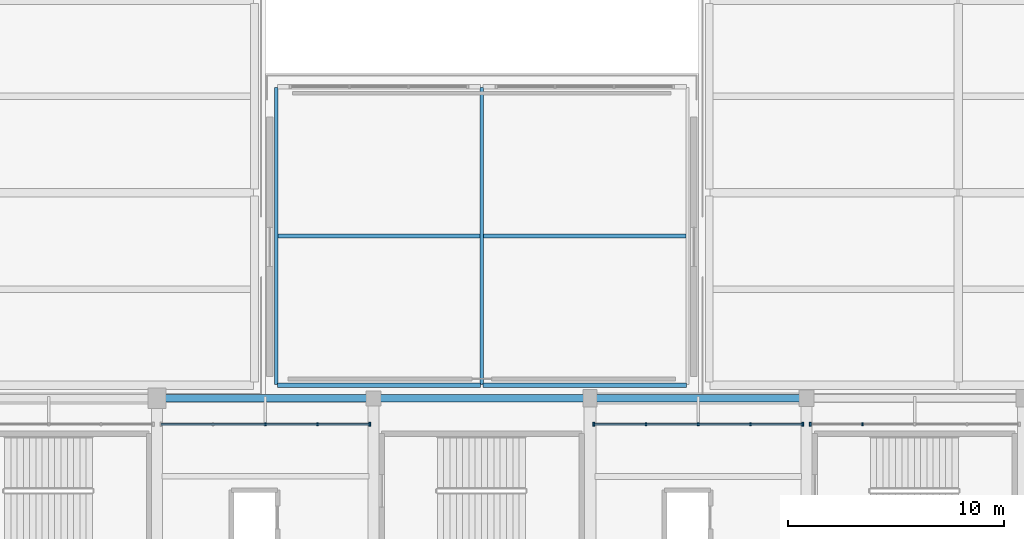
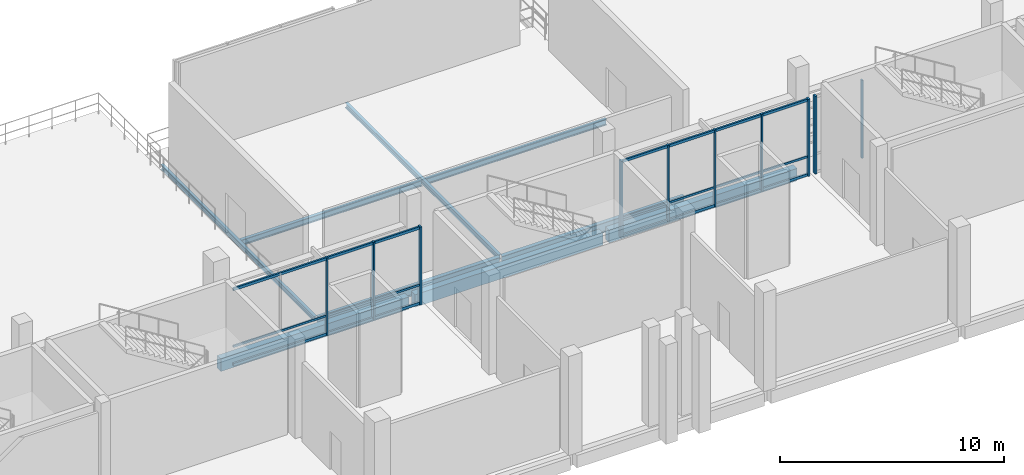
# One storey, part 51 of 111: 16 members, 9 beams, 3 elements without a shape of their own.
"""IFC4 building model written with IfcOpenShell, lengths in metres."""

from ifc_helpers import new_model, si_unit, direction, frame, origin, origin_2d, place, context, subcontext, project, spatial, rectangle, i_section, extrude, material, material_profile, profile_set, type_object, element, aggregate, save


model = new_model("IFC4")

# Units and contexts
model_context = context("Model", 3, precision=1e-05, world=origin(), true_north=direction((0.0, 1.0)))
body_context = subcontext(model_context, "Body", "Model", "MODEL_VIEW")
ifc_project = project(units=[si_unit("LENGTHUNIT", "METRE"), si_unit("AREAUNIT", "SQUARE_METRE"), si_unit("VOLUMEUNIT", "CUBIC_METRE"), si_unit("PLANEANGLEUNIT", "RADIAN"), si_unit("MASSUNIT", "GRAM", prefix="KILO")], contexts=[model_context])

# Site, building, storey
site_placement = place(None, origin())
site = spatial("IfcSite", under=ifc_project, at=site_placement, CompositionType="ELEMENT")
building_placement = place(site_placement, origin())
building = spatial("IfcBuilding", under=site, at=building_placement, Name="Candeia Ridge Stadium", CompositionType="ELEMENT")
storey_placement = place(building_placement, frame((0.0, 0.0, 16.199951171875)))
storey = spatial("IfcBuildingStorey", under=building, at=storey_placement, Name="L03", CompositionType="ELEMENT", Elevation=16.199951171875)

# Beams
ifc_material_1 = material(Name="Steel ASTM A572 Grade 50", Category="steel")
ifc_material_profile_1 = material_profile(ifc_material_1, i_section(OverallWidth=0.14794921875, OverallDepth=0.26611328125, WebThickness=0.007568359375, FlangeThickness=0.012939453125, FilletRadius=0.010986328125, at=origin_2d()), Name="W250x44.8", Category="steel")
ifc_profile_set_1 = profile_set([ifc_material_profile_1], Name="Steel ASTM A572 Grade 50")
beam_type_1 = type_object("IfcBeamType", Name="Canopy Edge Spandrel W250x44.8", PredefinedType="SPANDREL", material=ifc_profile_set_1)
for number, where, z_axis, x_axis, name in (
    (1, (96.5, 147.64990234375, -0.412841796875), (0.0, 1.0, 0.0), (-1.0, 0.0, 0.0), "Structural girder BM-L03-2375"),
    (2, (106.0, 147.64990234375, -0.383056640625), (0.0, 1.0, 0.0), (-1.0, 0.0, 0.0), "Structural girder BM-L03-2376"),
):
    element("IfcBeam", number, at=place(storey_placement, frame(where, z_axis=z_axis, x_axis=x_axis)), inside=storey, type_object=beam_type_1, Name=name, PredefinedType="SPANDREL", context=body_context, shape_type="SweptSolid", body=[
        extrude(i_section(OverallWidth=0.14794921875, OverallDepth=0.26611328125, WebThickness=0.007568359375, FlangeThickness=0.012939453125, FilletRadius=0.010986328125, at=origin_2d()), origin(), (0.0, 0.0, 1.0), 13.7001953125),
    ])

# Curtain wall, member
ifc_material_2 = material(Name="Aluminium Anodized Warm Bronze", Category="aluminium")
curtain_wall_type = type_object("IfcCurtainWallType", Name="Concourse Recessed Unitised Curtain Wall", PredefinedType="NOTDEFINED", material=ifc_material_2)
curtain_wall_1_placement = place(storey_placement, origin())
curtain_wall_1 = element("IfcCurtainWall", 3, at=curtain_wall_1_placement, inside=storey, type_object=curtain_wall_type, Name="Unitised curtain wall CW-BWL-L03-01", PredefinedType="NOTDEFINED")
ifc_material_profile_2 = material_profile(ifc_material_2, rectangle(XDim=0.090087890625, YDim=0.179931640625, at=origin_2d()), Name="CWM-90x180", Category="aluminium")
ifc_profile_set_2 = profile_set([ifc_material_profile_2], Name="Aluminium Anodized Warm Bronze")
member_type_1 = type_object("IfcMemberType", Name="Curtain Wall Primary Mullion 90x180", PredefinedType="MULLION", material=ifc_profile_set_2)
member_1_placement = place(storey_placement, frame((121.179931640625, 145.800048828125, 0.0), z_axis=(0.0, 0.0, 1.0), x_axis=(1.0, 0.0, 0.0)))
member_1 = element("IfcMember", 4, at=member_1_placement, type_object=member_type_1, Name="Curtain wall mullion CW-BWL-L03-01-M4", PredefinedType="MULLION", context=body_context, shape_type="SweptSolid", body=[
    extrude(rectangle(XDim=0.090087890625, YDim=0.179931640625, at=origin_2d()), origin(), (0.0, 0.0, 1.0), 4.2451171875),
])

# Curtain wall, members
curtain_wall_2_placement = place(storey_placement, origin())
curtain_wall_2 = element("IfcCurtainWall", 5, at=curtain_wall_2_placement, inside=storey, type_object=curtain_wall_type, Name="Unitised curtain wall CW-BWL-L03-02", PredefinedType="NOTDEFINED")
member_2_placement = place(storey_placement, frame((120.820068359375, 145.800048828125, 0.0), z_axis=(0.0, 0.0, 1.0), x_axis=(1.0, 0.0, 0.0)))
member_2 = element("IfcMember", 6, at=member_2_placement, type_object=member_type_1, Name="Curtain wall mullion CW-BWL-L03-02-M0", PredefinedType="MULLION", context=body_context, shape_type="SweptSolid", body=[
    extrude(rectangle(XDim=0.090087890625, YDim=0.179931640625, at=origin_2d()), origin(), (0.0, 0.0, 1.0), 4.205078125),
])
member_3_placement = place(storey_placement, frame((111.179931640625, 145.800048828125, 0.0), z_axis=(0.0, 0.0, 1.0), x_axis=(1.0, 0.0, 0.0)))
member_3 = element("IfcMember", 7, at=member_3_placement, type_object=member_type_1, Name="Curtain wall mullion CW-BWL-L03-02-M4", PredefinedType="MULLION", context=body_context, shape_type="SweptSolid", body=[
    extrude(rectangle(XDim=0.090087890625, YDim=0.179931640625, at=origin_2d()), origin(), (0.0, 0.0, 1.0), 4.205078125),
])

# Curtain wall, member
curtain_wall_3_placement = place(storey_placement, origin())
curtain_wall_3 = element("IfcCurtainWall", 8, at=curtain_wall_3_placement, inside=storey, type_object=curtain_wall_type, Name="Unitised curtain wall CW-BWL-L03-04", PredefinedType="NOTDEFINED")
member_4_placement = place(storey_placement, frame((100.820068359375, 145.800048828125, 0.0), z_axis=(0.0, 0.0, 1.0), x_axis=(1.0, 0.0, 0.0)))
member_4 = element("IfcMember", 9, at=member_4_placement, type_object=member_type_1, Name="Curtain wall mullion CW-BWL-L03-04-M0", PredefinedType="MULLION", context=body_context, shape_type="SweptSolid", body=[
    extrude(rectangle(XDim=0.090087890625, YDim=0.179931640625, at=origin_2d()), origin(), (0.0, 0.0, 1.0), 4.2451171875),
])

# Member
ifc_material_profile_3 = material_profile(ifc_material_2, rectangle(XDim=0.074951171875, YDim=0.14990234375, at=origin_2d()), Name="CWM-75x150", Category="aluminium")
ifc_profile_set_3 = profile_set([ifc_material_profile_3], Name="Aluminium Anodized Warm Bronze")
member_type_2 = type_object("IfcMemberType", Name="Curtain Wall Secondary Mullion 75x150", PredefinedType="MULLION", material=ifc_profile_set_3)
member_5_placement = place(storey_placement, frame((123.590087890625, 145.800048828125, 0.0), z_axis=(0.0, 0.0, 1.0), x_axis=(1.0, 0.0, 0.0)))
member_5 = element("IfcMember", 10, at=member_5_placement, type_object=member_type_2, Name="Curtain wall mullion CW-BWL-L03-01-M3", PredefinedType="MULLION", context=body_context, shape_type="SweptSolid", body=[
    extrude(rectangle(XDim=0.074951171875, YDim=0.14990234375, at=origin_2d()), origin(), (0.0, 0.0, 1.0), 4.2451171875),
])

aggregate(curtain_wall_1, [member_5, member_1])

member_6_placement = place(storey_placement, frame((118.409912109375, 145.800048828125, 0.0), z_axis=(0.0, 0.0, 1.0), x_axis=(1.0, 0.0, 0.0)))
member_6 = element("IfcMember", 11, at=member_6_placement, type_object=member_type_2, Name="Curtain wall mullion CW-BWL-L03-02-M1", PredefinedType="MULLION", context=body_context, shape_type="SweptSolid", body=[
    extrude(rectangle(XDim=0.074951171875, YDim=0.14990234375, at=origin_2d()), origin(), (0.0, 0.0, 1.0), 4.205078125),
])

member_7_placement = place(storey_placement, frame((116.0, 145.800048828125, 0.0), z_axis=(0.0, 0.0, 1.0), x_axis=(1.0, 0.0, 0.0)))
member_7 = element("IfcMember", 12, at=member_7_placement, type_object=member_type_2, Name="Curtain wall mullion CW-BWL-L03-02-M2", PredefinedType="MULLION", context=body_context, shape_type="SweptSolid", body=[
    extrude(rectangle(XDim=0.074951171875, YDim=0.14990234375, at=origin_2d()), origin(), (0.0, 0.0, 1.0), 4.205078125),
])

member_8_placement = place(storey_placement, frame((113.590087890625, 145.800048828125, 0.0), z_axis=(0.0, 0.0, 1.0), x_axis=(1.0, 0.0, 0.0)))
member_8 = element("IfcMember", 13, at=member_8_placement, type_object=member_type_2, Name="Curtain wall mullion CW-BWL-L03-02-M3", PredefinedType="MULLION", context=body_context, shape_type="SweptSolid", body=[
    extrude(rectangle(XDim=0.074951171875, YDim=0.14990234375, at=origin_2d()), origin(), (0.0, 0.0, 1.0), 4.205078125),
])

member_9_placement = place(storey_placement, frame((98.409912109375, 145.800048828125, 0.0), z_axis=(0.0, 0.0, 1.0), x_axis=(1.0, 0.0, 0.0)))
member_9 = element("IfcMember", 14, at=member_9_placement, type_object=member_type_2, Name="Curtain wall mullion CW-BWL-L03-04-M1", PredefinedType="MULLION", context=body_context, shape_type="SweptSolid", body=[
    extrude(rectangle(XDim=0.074951171875, YDim=0.14990234375, at=origin_2d()), origin(), (0.0, 0.0, 1.0), 4.2451171875),
])

member_10_placement = place(storey_placement, frame((96.0, 145.800048828125, 0.0), z_axis=(0.0, 0.0, 1.0), x_axis=(1.0, 0.0, 0.0)))
member_10 = element("IfcMember", 15, at=member_10_placement, type_object=member_type_2, Name="Curtain wall mullion CW-BWL-L03-04-M2", PredefinedType="MULLION", context=body_context, shape_type="SweptSolid", body=[
    extrude(rectangle(XDim=0.074951171875, YDim=0.14990234375, at=origin_2d()), origin(), (0.0, 0.0, 1.0), 4.2451171875),
])

ifc_material_profile_4 = material_profile(ifc_material_2, rectangle(XDim=0.074951171875, YDim=0.110107421875, at=origin_2d()), Name="CWT-75x110", Category="aluminium")
ifc_profile_set_4 = profile_set([ifc_material_profile_4], Name="Aluminium Anodized Warm Bronze")
member_type_3 = type_object("IfcMemberType", Name="Curtain Wall Secondary Transom 75x110", PredefinedType="USERDEFINED", material=ifc_profile_set_4)
member_11_placement = place(storey_placement, frame((120.820068359375, 145.800048828125, 1.05126953125), z_axis=(-1.0, 0.0, 0.0), x_axis=(0.0, -1.0, 0.0)))
member_11 = element("IfcMember", 16, at=member_11_placement, type_object=member_type_3, Name="Curtain wall transom CW-BWL-L03-02-T1", ObjectType="TRANSOM", PredefinedType="USERDEFINED", context=body_context, shape_type="SweptSolid", body=[
    extrude(rectangle(XDim=0.074951171875, YDim=0.110107421875, at=origin_2d()), origin(), (0.0, 0.0, 1.0), 9.64013671875),
])

member_12_placement = place(storey_placement, frame((100.820068359375, 145.800048828125, 1.061279296875), z_axis=(-1.0, 0.0, 0.0), x_axis=(0.0, -1.0, 0.0)))
member_12 = element("IfcMember", 17, at=member_12_placement, type_object=member_type_3, Name="Curtain wall transom CW-BWL-L03-04-T1", ObjectType="TRANSOM", PredefinedType="USERDEFINED", context=body_context, shape_type="SweptSolid", body=[
    extrude(rectangle(XDim=0.074951171875, YDim=0.110107421875, at=origin_2d()), origin(), (0.0, 0.0, 1.0), 9.64013671875),
])

ifc_material_profile_5 = material_profile(ifc_material_2, rectangle(XDim=0.090087890625, YDim=0.139892578125, at=origin_2d()), Name="CWT-90x140", Category="aluminium")
ifc_profile_set_5 = profile_set([ifc_material_profile_5], Name="Aluminium Anodized Warm Bronze")
member_type_4 = type_object("IfcMemberType", Name="Curtain Wall Transom 90x140", PredefinedType="USERDEFINED", material=ifc_profile_set_5)
member_13_placement = place(storey_placement, frame((120.820068359375, 145.800048828125, 0.070068359375), z_axis=(-1.0, 0.0, 0.0), x_axis=(0.0, -1.0, 0.0)))
member_13 = element("IfcMember", 18, at=member_13_placement, type_object=member_type_4, Name="Curtain wall transom CW-BWL-L03-02-T0", ObjectType="TRANSOM", PredefinedType="USERDEFINED", context=body_context, shape_type="SweptSolid", body=[
    extrude(rectangle(XDim=0.090087890625, YDim=0.139892578125, at=origin_2d()), origin(), (0.0, 0.0, 1.0), 9.64013671875),
])

member_14_placement = place(storey_placement, frame((120.820068359375, 145.800048828125, 4.135009765625), z_axis=(-1.0, 0.0, 0.0), x_axis=(0.0, -1.0, 0.0)))
member_14 = element("IfcMember", 19, at=member_14_placement, type_object=member_type_4, Name="Curtain wall transom CW-BWL-L03-02-T2", ObjectType="TRANSOM", PredefinedType="USERDEFINED", context=body_context, shape_type="SweptSolid", body=[
    extrude(rectangle(XDim=0.090087890625, YDim=0.139892578125, at=origin_2d()), origin(), (0.0, 0.0, 1.0), 9.64013671875),
])

aggregate(curtain_wall_2, [member_2, member_6, member_7, member_8, member_3, member_13, member_11, member_14])

member_15_placement = place(storey_placement, frame((100.820068359375, 145.800048828125, 0.070068359375), z_axis=(-1.0, 0.0, 0.0), x_axis=(0.0, -1.0, 0.0)))
member_15 = element("IfcMember", 20, at=member_15_placement, type_object=member_type_4, Name="Curtain wall transom CW-BWL-L03-04-T0", ObjectType="TRANSOM", PredefinedType="USERDEFINED", context=body_context, shape_type="SweptSolid", body=[
    extrude(rectangle(XDim=0.090087890625, YDim=0.139892578125, at=origin_2d()), origin(), (0.0, 0.0, 1.0), 9.64013671875),
])

member_16_placement = place(storey_placement, frame((100.820068359375, 145.800048828125, 4.175048828125), z_axis=(-1.0, 0.0, 0.0), x_axis=(0.0, -1.0, 0.0)))
member_16 = element("IfcMember", 21, at=member_16_placement, type_object=member_type_4, Name="Curtain wall transom CW-BWL-L03-04-T2", ObjectType="TRANSOM", PredefinedType="USERDEFINED", context=body_context, shape_type="SweptSolid", body=[
    extrude(rectangle(XDim=0.090087890625, YDim=0.139892578125, at=origin_2d()), origin(), (0.0, 0.0, 1.0), 9.64013671875),
])

aggregate(curtain_wall_3, [member_4, member_9, member_10, member_15, member_12, member_16])

# Beams
ifc_material_profile_6 = material_profile(ifc_material_1, i_section(OverallWidth=0.208984375, OverallDepth=0.532958984375, WebThickness=0.01025390625, FlangeThickness=0.015625, FilletRadius=0.013916015625, at=origin_2d()), Name="W530x92", Category="steel")
ifc_profile_set_6 = profile_set([ifc_material_profile_6], Name="Steel ASTM A572 Grade 50")
beam_type_2 = type_object("IfcBeamType", Name="Gate Portal Girder W530x92", PredefinedType="BEAM", material=ifc_profile_set_6)
for number, where, z_axis, x_axis, name in (
    (22, (96.550048828125, 147.60009765625, -0.54638671875), (1.0, 0.0, 0.0), (0.0, 1.0, 0.0), "Structural girder BM-L03-2378"),
    (23, (106.050048828125, 147.60009765625, -0.54638671875), (1.0, 0.0, 0.0), (0.0, 1.0, 0.0), "Structural girder BM-L03-2381"),
):
    element("IfcBeam", number, at=place(storey_placement, frame(where, z_axis=z_axis, x_axis=x_axis)), inside=storey, type_object=beam_type_2, Name=name, PredefinedType="BEAM", context=body_context, shape_type="SweptSolid", body=[
        extrude(i_section(OverallWidth=0.208984375, OverallDepth=0.532958984375, WebThickness=0.01025390625, FlangeThickness=0.015625, FilletRadius=0.013916015625, at=origin_2d()), origin(), (0.0, 0.0, 1.0), 9.39990234375),
    ])
ifc_material_profile_7 = material_profile(ifc_material_1, i_section(OverallWidth=0.1669921875, OverallDepth=0.31689453125, WebThickness=0.007568359375, FlangeThickness=0.01318359375, FilletRadius=0.011962890625, at=origin_2d()), Name="W310x52", Category="steel")
ifc_profile_set_7 = profile_set([ifc_material_profile_7], Name="Steel ASTM A572 Grade 50")
beam_type_3 = type_object("IfcBeamType", Name="Pavilion Secondary Joist W310x52", PredefinedType="JOIST", material=ifc_profile_set_7)
for number, where, z_axis, x_axis, name in (
    (24, (96.573486328125, 154.5, -0.4384765625), (1.0, 0.0, 0.0), (0.0, 1.0, 0.0), "Wing secondary joist BM-L03-2379"),
    (25, (106.073486328125, 154.5, -0.4384765625), (1.0, 0.0, 0.0), (0.0, 1.0, 0.0), "Wing secondary joist BM-L03-2382"),
):
    element("IfcBeam", number, at=place(storey_placement, frame(where, z_axis=z_axis, x_axis=x_axis)), inside=storey, type_object=beam_type_3, Name=name, PredefinedType="JOIST", context=body_context, shape_type="SweptSolid", body=[
        extrude(i_section(OverallWidth=0.1669921875, OverallDepth=0.31689453125, WebThickness=0.007568359375, FlangeThickness=0.01318359375, FilletRadius=0.011962890625, at=origin_2d()), origin(), (0.0, 0.0, 1.0), 9.35302734375),
    ])
ifc_material_3 = material(Name="Concrete C40/50", Category="concrete")
ifc_material_profile_8 = material_profile(ifc_material_3, rectangle(XDim=0.340087890625, YDim=0.679931640625, at=origin_2d()), Name="RC340x680", Category="concrete")
ifc_profile_set_8 = profile_set([ifc_material_profile_8], Name="Concrete C40/50")
beam_type_4 = type_object("IfcBeamType", Name="Spandrel Beam RC340x680", PredefinedType="SPANDREL", material=ifc_profile_set_8)
for number, where, z_axis, x_axis, name in (
    (26, (120.840087890625, 147.0, -0.58984375), (-1.0, 0.0, 0.0), (0.0, -1.0, 0.0), "Bowl perimeter spandrel BM-L03-0563"),
    (27, (110.840087890625, 147.0, -0.58984375), (-1.0, 0.0, 0.0), (0.0, -1.0, 0.0), "Bowl perimeter spandrel BM-L03-0568"),
    (28, (100.840087890625, 147.0, -0.58984375), (-1.0, 0.0, 0.0), (0.0, -1.0, 0.0), "Bowl perimeter spandrel BM-L03-0572"),
):
    element("IfcBeam", number, at=place(storey_placement, frame(where, z_axis=z_axis, x_axis=x_axis)), inside=storey, type_object=beam_type_4, Name=name, PredefinedType="SPANDREL", context=body_context, shape_type="SweptSolid", body=[
        extrude(rectangle(XDim=0.340087890625, YDim=0.679931640625, at=origin_2d()), origin(), (0.0, 0.0, 1.0), 9.68017578125),
    ])

save(model, "model.ifc")
